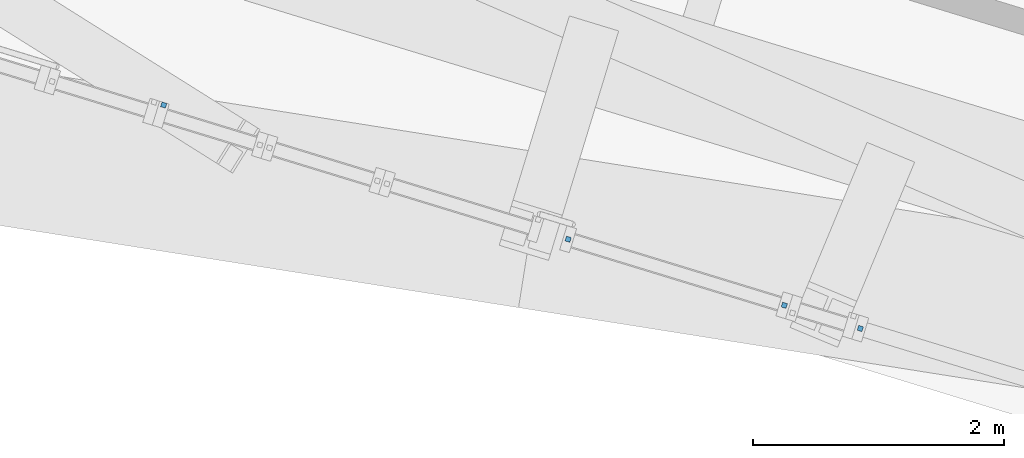
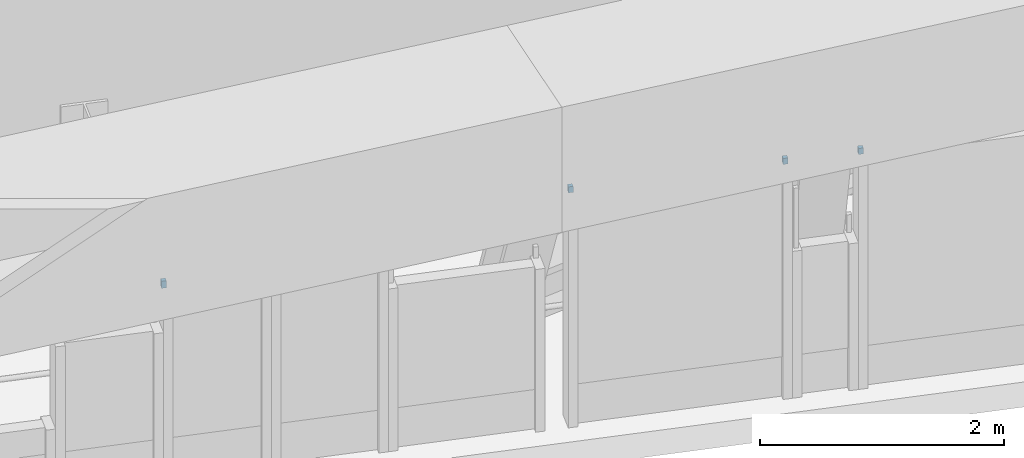
# One storey, part 26 of 31: 4 discrete accessories.
"""IFC4 building model written with IfcOpenShell, lengths in metres."""

from ifc_helpers import new_model, si_unit, direction, frame, origin, origin_2d, place, context, subcontext, project, spatial, rectangle, extrude, source, transform, mapped, material, element, save


model = new_model("IFC4")

# Units and contexts
model_context = context("Model", 3, precision=1e-05, world=origin(), true_north=direction((0.0, 1.0)))
body_context = subcontext(model_context, "Body", "Model", "MODEL_VIEW")
ifc_project = project(units=[si_unit("LENGTHUNIT", "METRE"), si_unit("AREAUNIT", "SQUARE_METRE"), si_unit("VOLUMEUNIT", "CUBIC_METRE"), si_unit("PLANEANGLEUNIT", "RADIAN"), si_unit("MASSUNIT", "GRAM", prefix="KILO")], contexts=[model_context])

# Site, building, storey
site_placement = place(None, origin())
site = spatial("IfcSite", under=ifc_project, at=site_placement, CompositionType="ELEMENT")
building_placement = place(site_placement, origin())
building = spatial("IfcBuilding", under=site, at=building_placement, Name="Triune Harvest Tower", CompositionType="ELEMENT")
storey_placement = place(building_placement, frame((0.0, 0.0, 134.300048828125)))
storey = spatial("IfcBuildingStorey", under=building, at=storey_placement, Name="L34", CompositionType="ELEMENT", Elevation=134.300048828125)

# Discrete accessories
ifc_material = material(Name="Steel ASTM A992 Gr 50", Category="steel")
shared_shape_1 = source(origin(), body_context, "Body", "SweptSolid", [
    extrude(rectangle(XDim=0.0400390625, YDim=0.0400390625, at=origin_2d()), origin(), (0.0, 0.0, 1.0), 0.06005859375),
])
for number, where, z_axis, x_axis, name in (
    (1, (-18.973388671875, -17.229736328125, 2.2900390625), (0.0, 0.0, 1.0), (0.956300673591, -0.292385057228, 0.0), "Mullion end bracket B3-F5 L34.1101 upper"),
    (2, (-17.24853515625, -17.757080078125, 2.2900390625), (0.0, 0.0, 1.0), (0.956300673591, -0.292385057228, 0.0), "Mullion end bracket B3-F5 L34.1101 upper"),
    (3, (-16.642578125, -17.9423828125, 2.2900390625), (0.0, 0.0, 1.0), (0.956305266246, -0.292370035656, 0.0), "Mullion end bracket B3-F5 L34.1301 upper"),
):
    element("IfcDiscreteAccessory", number, at=place(storey_placement, frame(where, z_axis=z_axis, x_axis=x_axis)), inside=storey, material=ifc_material, Name=name, ObjectType="BRACKET", PredefinedType="USERDEFINED", context=body_context, shape_type="MappedRepresentation", body=[
        mapped(shared_shape_1, transform((0.0, 0.0, 0.0), scale=1.0)),
    ])
shared_shape_2 = source(origin(), body_context, "Body", "SweptSolid", [
    extrude(rectangle(XDim=0.0400390625, YDim=0.0400390625, at=origin_2d()), origin(), (0.0, 0.0, 1.0), 0.0703125),
])
discrete_accessory_placement = place(storey_placement, frame((-22.2001953125, -16.159423828125, 1.817138671875), z_axis=(0.0, 0.0, 1.0), x_axis=(0.95628281102, -0.292443473766, 0.0)))
element("IfcDiscreteAccessory", 4, at=discrete_accessory_placement, inside=storey, material=ifc_material, Name="Mullion end bracket B3-F5 L34.801 upper", ObjectType="BRACKET", PredefinedType="USERDEFINED", context=body_context, shape_type="MappedRepresentation", body=[
    mapped(shared_shape_2, transform((0.0, 0.0, 0.0), scale=1.0)),
])

save(model, "model.ifc")
